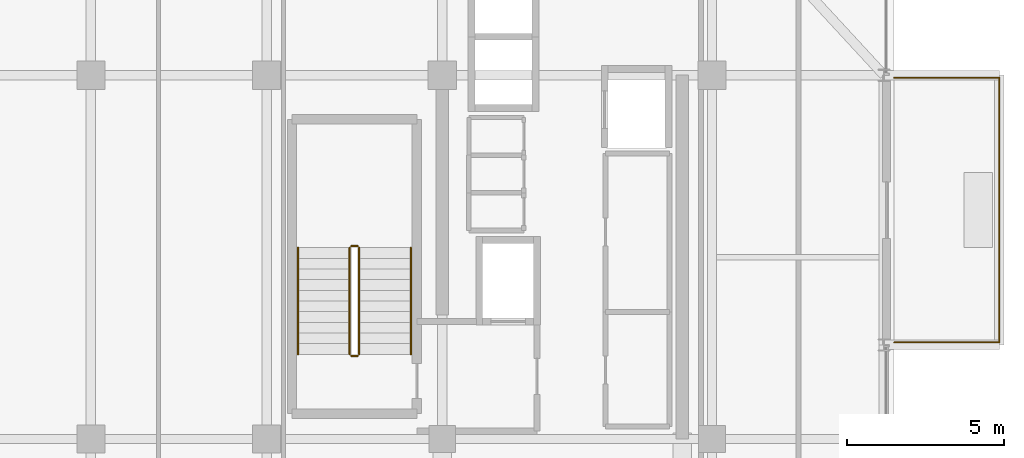
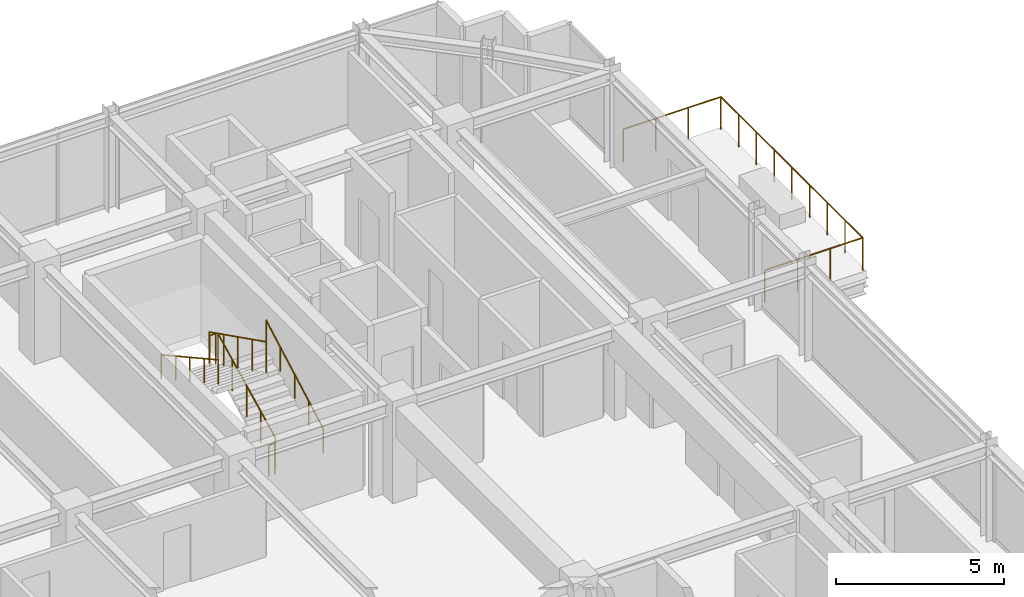
# One storey, part 32 of 33: 7 railings.
"""IFC4 building model written with IfcOpenShell, lengths in metres."""

from ifc_helpers import new_model, si_unit, direction, frame, origin, origin_2d, place, context, subcontext, project, spatial, circle, extrude, material, type_object, element, save


model = new_model("IFC4")

# Units and contexts
model_context = context("Model", 3, precision=1e-05, world=origin(), true_north=direction((0.0, 1.0)))
body_context = subcontext(model_context, "Body", "Model", "MODEL_VIEW")
ifc_project = project(units=[si_unit("LENGTHUNIT", "METRE"), si_unit("AREAUNIT", "SQUARE_METRE"), si_unit("VOLUMEUNIT", "CUBIC_METRE"), si_unit("PLANEANGLEUNIT", "RADIAN"), si_unit("MASSUNIT", "GRAM", prefix="KILO")], contexts=[model_context])

# Site, building, storey
site_placement = place(None, origin())
site = spatial("IfcSite", under=ifc_project, at=site_placement, CompositionType="ELEMENT")
building_placement = place(site_placement, origin())
building = spatial("IfcBuilding", under=site, at=building_placement, Name="Nahalor Promenade Grand Hotel", CompositionType="ELEMENT")
storey_placement = place(building_placement, frame((0.0, 0.0, 270.050048828125)))
storey = spatial("IfcBuildingStorey", under=building, at=storey_placement, Name="L69", CompositionType="ELEMENT", Elevation=270.050048828125)

# Railings
ifc_material_1 = material(Name="Anodised Bronze Aluminium EN AW-6063 T6", Category="aluminium")
railing_type_1 = type_object("IfcRailingType", Name="Bronze Balcony Guardrail 1200 mm", PredefinedType="GUARDRAIL", material=ifc_material_1)
railing_1_placement = place(storey_placement, frame((22.800048828125, 8.47998046875, 0.0)))
element("IfcRailing", 1, at=railing_1_placement, inside=storey, type_object=railing_type_1, Name="L69 Balcony Guardrail 2", PredefinedType="GUARDRAIL", context=body_context, shape_type="SweptSolid", body=[
    extrude(circle(Radius=0.024048, at=origin_2d()), frame((0.0, 0.0, 1.17578125), z_axis=(1.0, 0.0, 0.0), x_axis=(0.0, 1.0, 0.0)), (0.0, 0.0, 1.0), 3.35791015625),
    extrude(circle(Radius=0.024048, at=origin_2d()), frame((3.35986328125, 0.001953125, 1.17578125), z_axis=(0.0, 1.0, 0.0), x_axis=(-1.0, 0.0, 0.0)), (0.0, 0.0, 1.0), 8.43603515625),
    extrude(circle(Radius=0.024048, at=origin_2d()), frame((3.35791015625, 8.43994140625, 1.17578125), z_axis=(-1.0, 0.0, 0.0), x_axis=(0.0, -1.0, 0.0)), (0.0, 0.0, 1.0), 3.35791015625),
    extrude(circle(Radius=0.020996, at=origin_2d()), origin(), (0.0, 0.0, 1.0), 1.14990234375),
    extrude(circle(Radius=0.020996, at=origin_2d()), frame((1.119873046875, 0.0, 0.0)), (0.0, 0.0, 1.0), 1.14990234375),
    extrude(circle(Radius=0.020996, at=origin_2d()), frame((2.239990234375, 0.0, 0.0)), (0.0, 0.0, 1.0), 1.14990234375),
    extrude(circle(Radius=0.020996, at=origin_2d()), frame((3.35986328125, 0.0, 0.0)), (0.0, 0.0, 1.0), 1.14990234375),
    extrude(circle(Radius=0.020996, at=origin_2d()), frame((3.35986328125, 1.054931640625, 0.0)), (0.0, 0.0, 1.0), 1.14990234375),
    extrude(circle(Radius=0.020996, at=origin_2d()), frame((3.35986328125, 2.10986328125, 0.0)), (0.0, 0.0, 1.0), 1.14990234375),
    extrude(circle(Radius=0.020996, at=origin_2d()), frame((3.35986328125, 3.1650390625, 0.0)), (0.0, 0.0, 1.0), 1.14990234375),
    extrude(circle(Radius=0.020996, at=origin_2d()), frame((3.35986328125, 4.219970703125, 0.0)), (0.0, 0.0, 1.0), 1.14990234375),
    extrude(circle(Radius=0.020996, at=origin_2d()), frame((3.35986328125, 5.27490234375, 0.0)), (0.0, 0.0, 1.0), 1.14990234375),
    extrude(circle(Radius=0.020996, at=origin_2d()), frame((3.35986328125, 6.330078125, 0.0)), (0.0, 0.0, 1.0), 1.14990234375),
    extrude(circle(Radius=0.020996, at=origin_2d()), frame((3.35986328125, 7.385009765625, 0.0)), (0.0, 0.0, 1.0), 1.14990234375),
    extrude(circle(Radius=0.020996, at=origin_2d()), frame((3.35986328125, 8.43994140625, 0.0)), (0.0, 0.0, 1.0), 1.14990234375),
    extrude(circle(Radius=0.020996, at=origin_2d()), frame((2.239990234375, 8.43994140625, 0.0)), (0.0, 0.0, 1.0), 1.14990234375),
    extrude(circle(Radius=0.020996, at=origin_2d()), frame((1.119873046875, 8.43994140625, 0.0)), (0.0, 0.0, 1.0), 1.14990234375),
    extrude(circle(Radius=0.020996, at=origin_2d()), frame((0.0, 8.43994140625, 0.0)), (0.0, 0.0, 1.0), 1.14990234375),
])
ifc_material_2 = material(Name="Steel S355JR", Category="steel")
railing_type_2 = type_object("IfcRailingType", Name="Steel Stair Guardrail 1150 mm", PredefinedType="GUARDRAIL", material=ifc_material_2)
railing_2_placement = place(storey_placement, frame((5.75, 8.10009765625, 0.17041015625)))
element("IfcRailing", 2, at=railing_2_placement, inside=storey, type_object=railing_type_2, Name="L69 ST1 stair guard 1", PredefinedType="GUARDRAIL", context=body_context, shape_type="SweptSolid", body=[
    extrude(circle(Radius=0.024048, at=origin_2d()), frame((0.0, 0.0, 1.1259765625), z_axis=(0.0, 0.89393879905, 0.448189048899), x_axis=(-1.0, 0.0, 0.0)), (0.0, 0.0, 1.0), 3.80322265625),
    extrude(circle(Radius=0.020996, at=origin_2d()), origin(), (0.0, 0.0, 1.0), 1.099853515625),
    extrude(circle(Radius=0.020996, at=origin_2d()), frame((0.0, 0.85009765625, 0.42626953125)), (0.0, 0.0, 1.0), 1.099853515625),
    extrude(circle(Radius=0.020996, at=origin_2d()), frame((0.0, 1.699951171875, 0.852294921875)), (0.0, 0.0, 1.0), 1.099853515625),
    extrude(circle(Radius=0.020996, at=origin_2d()), frame((0.0, 2.5498046875, 1.2783203125)), (0.0, 0.0, 1.0), 1.099853515625),
    extrude(circle(Radius=0.020996, at=origin_2d()), frame((0.0, 3.39990234375, 1.70458984375)), (0.0, 0.0, 1.0), 1.099853515625),
])
railing_3_placement = place(storey_placement, frame((5.699951171875, 11.550048828125, 1.875)))
element("IfcRailing", 3, at=railing_3_placement, inside=storey, type_object=railing_type_2, Name="L69 ST1 stair guard 2", PredefinedType="GUARDRAIL", context=body_context, shape_type="SweptSolid", body=[
    extrude(circle(Radius=0.024048, at=origin_2d()), frame((0.0, 0.0, 1.1259765625), z_axis=(-1.0, 0.0, 0.0), x_axis=(0.0, -1.0, 0.0)), (0.0, 0.0, 1.0), 0.199951171875),
    extrude(circle(Radius=0.020996, at=origin_2d()), origin(), (0.0, 0.0, 1.0), 1.099853515625),
    extrude(circle(Radius=0.020996, at=origin_2d()), frame((-0.199951171875, 0.0, 0.0)), (0.0, 0.0, 1.0), 1.099853515625),
])
railing_4_placement = place(storey_placement, frame((5.449951171875, 11.5, 2.04541015625)))
element("IfcRailing", 4, at=railing_4_placement, inside=storey, type_object=railing_type_2, Name="L69 ST1 stair guard 3", PredefinedType="GUARDRAIL", context=body_context, shape_type="SweptSolid", body=[
    extrude(circle(Radius=0.024048, at=origin_2d()), frame((0.0, 0.0, 1.1259765625), z_axis=(0.0, -0.89393879905, 0.448189048899), x_axis=(1.0, 0.0, 0.0)), (0.0, 0.0, 1.0), 3.80322265625),
    extrude(circle(Radius=0.020996, at=origin_2d()), origin(), (0.0, 0.0, 1.0), 1.099853515625),
    extrude(circle(Radius=0.020996, at=origin_2d()), frame((0.0, -0.85009765625, 0.42626953125)), (0.0, 0.0, 1.0), 1.099853515625),
    extrude(circle(Radius=0.020996, at=origin_2d()), frame((0.0, -1.699951171875, 0.852294921875)), (0.0, 0.0, 1.0), 1.099853515625),
    extrude(circle(Radius=0.020996, at=origin_2d()), frame((0.0, -2.5498046875, 1.2783203125)), (0.0, 0.0, 1.0), 1.099853515625),
    extrude(circle(Radius=0.020996, at=origin_2d()), frame((0.0, -3.39990234375, 1.70458984375)), (0.0, 0.0, 1.0), 1.099853515625),
])
railing_5_placement = place(storey_placement, frame((5.699951171875, 8.050048828125, 0.0)))
element("IfcRailing", 5, at=railing_5_placement, inside=storey, type_object=railing_type_2, Name="L69 ST1 stair guard 4", PredefinedType="GUARDRAIL", context=body_context, shape_type="SweptSolid", body=[
    extrude(circle(Radius=0.024048, at=origin_2d()), frame((0.0, 0.0, 1.1259765625), z_axis=(-1.0, 0.0, 0.0), x_axis=(0.0, -1.0, 0.0)), (0.0, 0.0, 1.0), 0.199951171875),
    extrude(circle(Radius=0.020996, at=origin_2d()), origin(), (0.0, 0.0, 1.0), 1.099853515625),
    extrude(circle(Radius=0.020996, at=origin_2d()), frame((-0.199951171875, 0.0, 0.0)), (0.0, 0.0, 1.0), 1.099853515625),
])
railing_type_3 = type_object("IfcRailingType", Name="Steel Stair Handrail 900 mm", PredefinedType="HANDRAIL", material=ifc_material_2)
railing_6_placement = place(storey_placement, frame((7.39990234375, 8.10009765625, 0.17041015625)))
element("IfcRailing", 6, at=railing_6_placement, inside=storey, type_object=railing_type_3, Name="L69 ST1 stair handrail 1", PredefinedType="HANDRAIL", context=body_context, shape_type="SweptSolid", body=[
    extrude(circle(Radius=0.024048, at=origin_2d()), frame((0.0, 0.0, 0.8759765625), z_axis=(0.0, 0.875665712831, 0.482917756322), x_axis=(-1.0, 0.0, 0.0)), (0.0, 0.0, 1.0), 3.882568359375),
    extrude(circle(Radius=0.020996, at=origin_2d()), origin(), (0.0, 0.0, 1.0), 0.849853515625),
    extrude(circle(Radius=0.020996, at=origin_2d()), frame((0.0, 0.85009765625, 0.46875)), (0.0, 0.0, 1.0), 0.849853515625),
    extrude(circle(Radius=0.020996, at=origin_2d()), frame((0.0, 1.699951171875, 0.9375)), (0.0, 0.0, 1.0), 0.849853515625),
    extrude(circle(Radius=0.020996, at=origin_2d()), frame((0.0, 2.5498046875, 1.40625)), (0.0, 0.0, 1.0), 0.849853515625),
    extrude(circle(Radius=0.020996, at=origin_2d()), frame((0.0, 3.39990234375, 1.875)), (0.0, 0.0, 1.0), 0.849853515625),
])
railing_7_placement = place(storey_placement, frame((3.800048828125, 11.5, 2.04541015625)))
element("IfcRailing", 7, at=railing_7_placement, inside=storey, type_object=railing_type_3, Name="L69 ST1 stair handrail 2", PredefinedType="HANDRAIL", context=body_context, shape_type="SweptSolid", body=[
    extrude(circle(Radius=0.024048, at=origin_2d()), frame((0.0, 0.0, 0.8759765625), z_axis=(0.0, -0.875665712831, 0.482917756322), x_axis=(1.0, 0.0, 0.0)), (0.0, 0.0, 1.0), 3.882568359375),
    extrude(circle(Radius=0.020996, at=origin_2d()), origin(), (0.0, 0.0, 1.0), 0.849853515625),
    extrude(circle(Radius=0.020996, at=origin_2d()), frame((0.0, -0.85009765625, 0.46875)), (0.0, 0.0, 1.0), 0.849853515625),
    extrude(circle(Radius=0.020996, at=origin_2d()), frame((0.0, -1.699951171875, 0.9375)), (0.0, 0.0, 1.0), 0.849853515625),
    extrude(circle(Radius=0.020996, at=origin_2d()), frame((0.0, -2.5498046875, 1.40625)), (0.0, 0.0, 1.0), 0.849853515625),
    extrude(circle(Radius=0.020996, at=origin_2d()), frame((0.0, -3.39990234375, 1.875)), (0.0, 0.0, 1.0), 0.849853515625),
])

save(model, "model.ifc")
